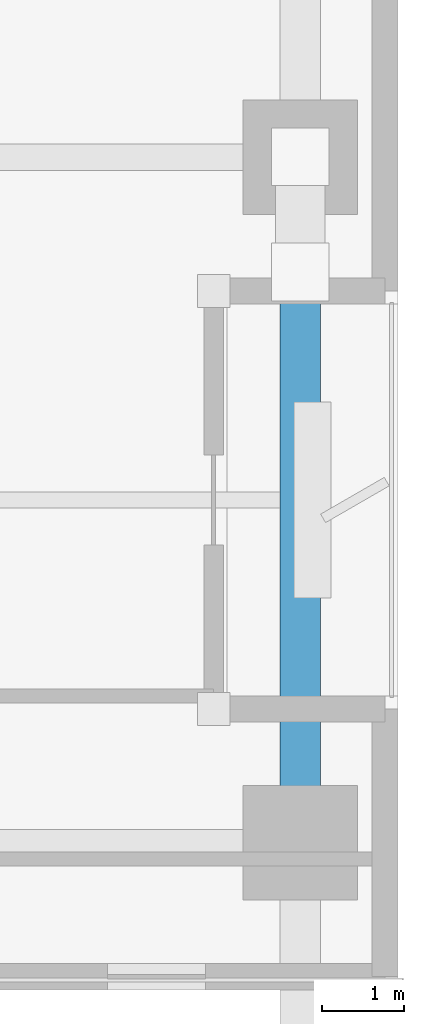
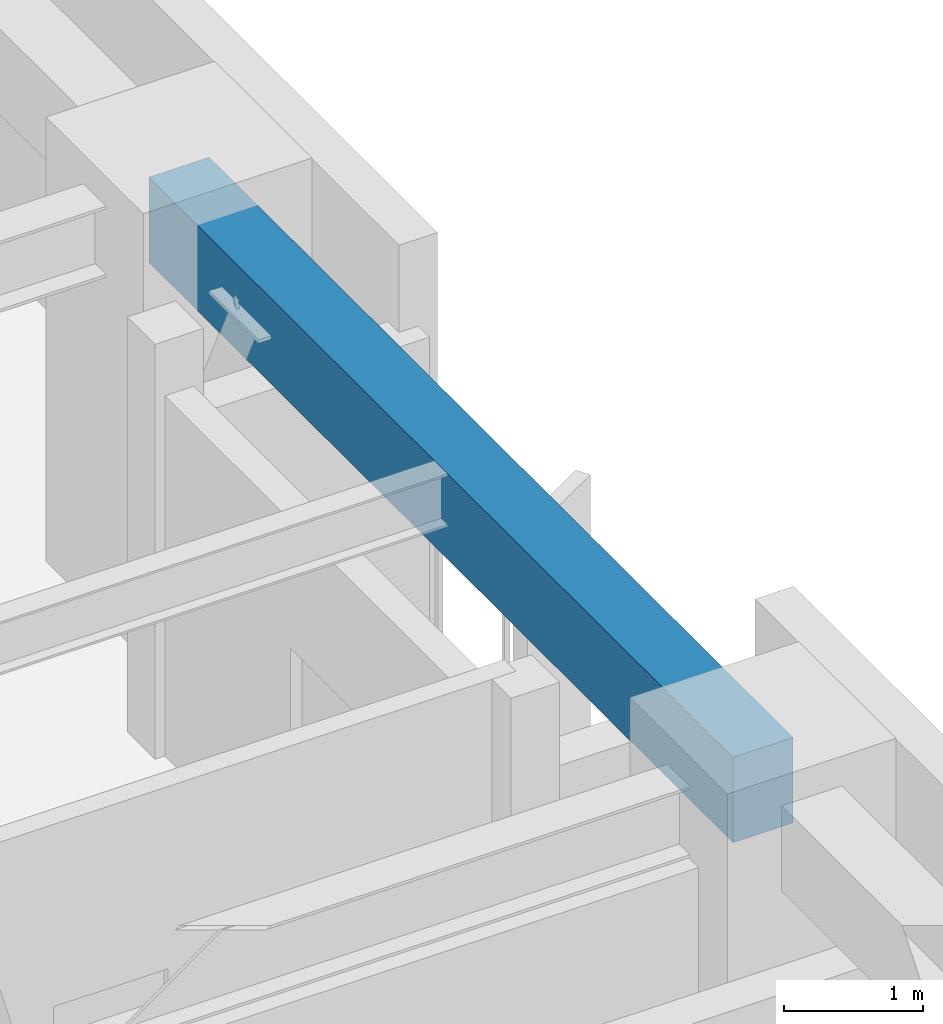
# One storey, part 7 of 24: 1 beam.
"""IFC4 building model written with IfcOpenShell, lengths in metres."""

from ifc_helpers import new_model, si_unit, direction, frame, origin, origin_2d, place, context, subcontext, project, spatial, rectangle, extrude, material, material_profile, profile_set, type_object, element, save


model = new_model("IFC4")

# Units and contexts
model_context = context("Model", 3, precision=1e-05, world=origin(), true_north=direction((0.0, 1.0)))
body_context = subcontext(model_context, "Body", "Model", "MODEL_VIEW")
ifc_project = project(units=[si_unit("LENGTHUNIT", "METRE"), si_unit("AREAUNIT", "SQUARE_METRE"), si_unit("VOLUMEUNIT", "CUBIC_METRE"), si_unit("PLANEANGLEUNIT", "RADIAN"), si_unit("MASSUNIT", "GRAM", prefix="KILO")], contexts=[model_context])

# Site, building, storey
site_placement = place(None, origin())
site = spatial("IfcSite", under=ifc_project, at=site_placement, CompositionType="ELEMENT")
building_placement = place(site_placement, origin())
building = spatial("IfcBuilding", under=site, at=building_placement, Name="Kiyonajd Concourse Tower", CompositionType="ELEMENT")
storey_placement = place(building_placement, frame((0.0, 0.0, 129.89990234375)))
storey = spatial("IfcBuildingStorey", under=building, at=storey_placement, Name="L33", CompositionType="ELEMENT", Elevation=129.89990234375)

# Beam
ifc_material = material(Name="Precast concrete C50/60", Category="concrete")
ifc_material_profile = material_profile(ifc_material, rectangle(XDim=0.5, YDim=0.75, at=origin_2d()), Name="RCBM-500x750")
ifc_profile_set = profile_set([ifc_material_profile], Name="Precast concrete C50/60")
beam_type = type_object("IfcBeamType", Name="BM-SPAN-RC", PredefinedType="SPANDREL", material=ifc_profile_set)
beam_placement = place(storey_placement, frame((69.60009765625, 36.0, 3.26513671875), z_axis=(0.0, 1.0, 0.0), x_axis=(-1.0, 0.0, 0.0)))
element("IfcBeam", 1, at=beam_placement, inside=storey, type_object=beam_type, Name="L33 Perimeter Bundled Tube Spandrel", PredefinedType="SPANDREL", context=body_context, shape_type="SweptSolid", body=[
    extrude(rectangle(XDim=0.5, YDim=0.75, at=origin_2d()), origin(), (0.0, 0.0, 1.0), 8.39990234375),
])

save(model, "model.ifc")
